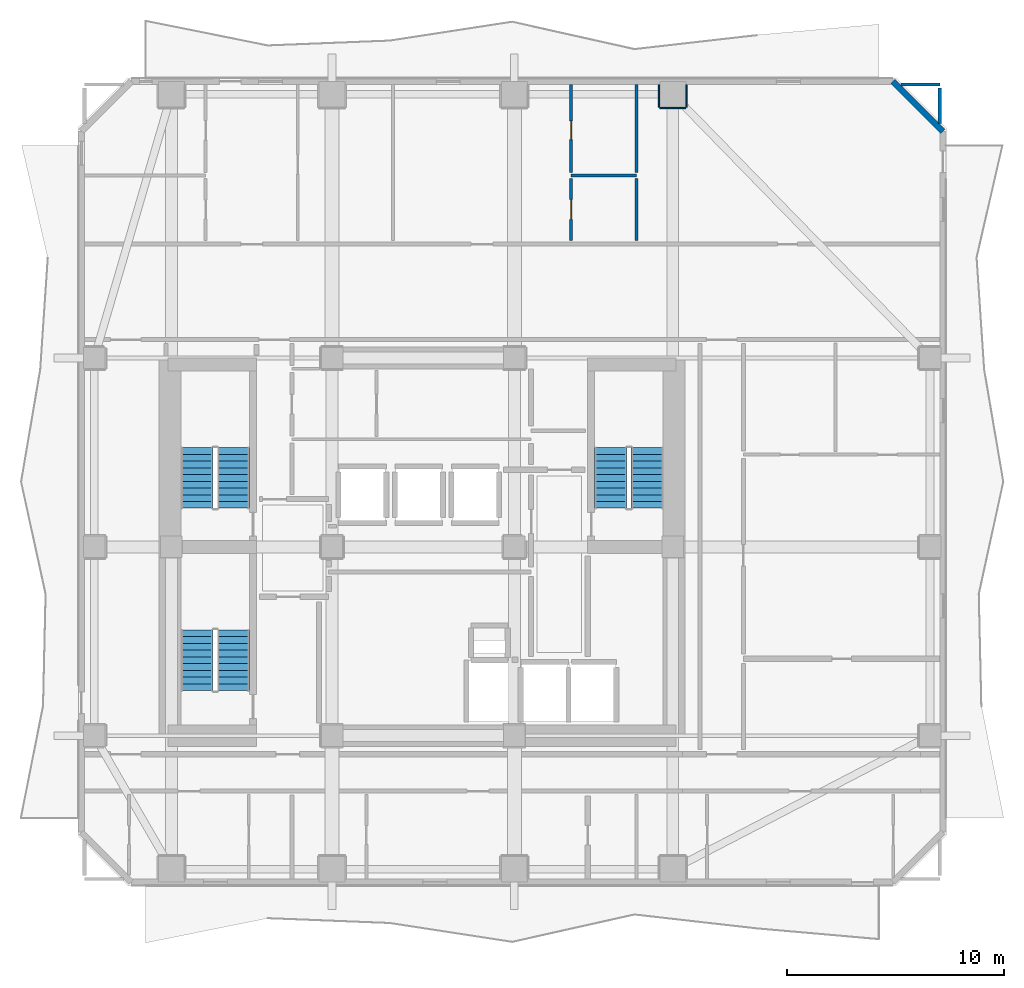
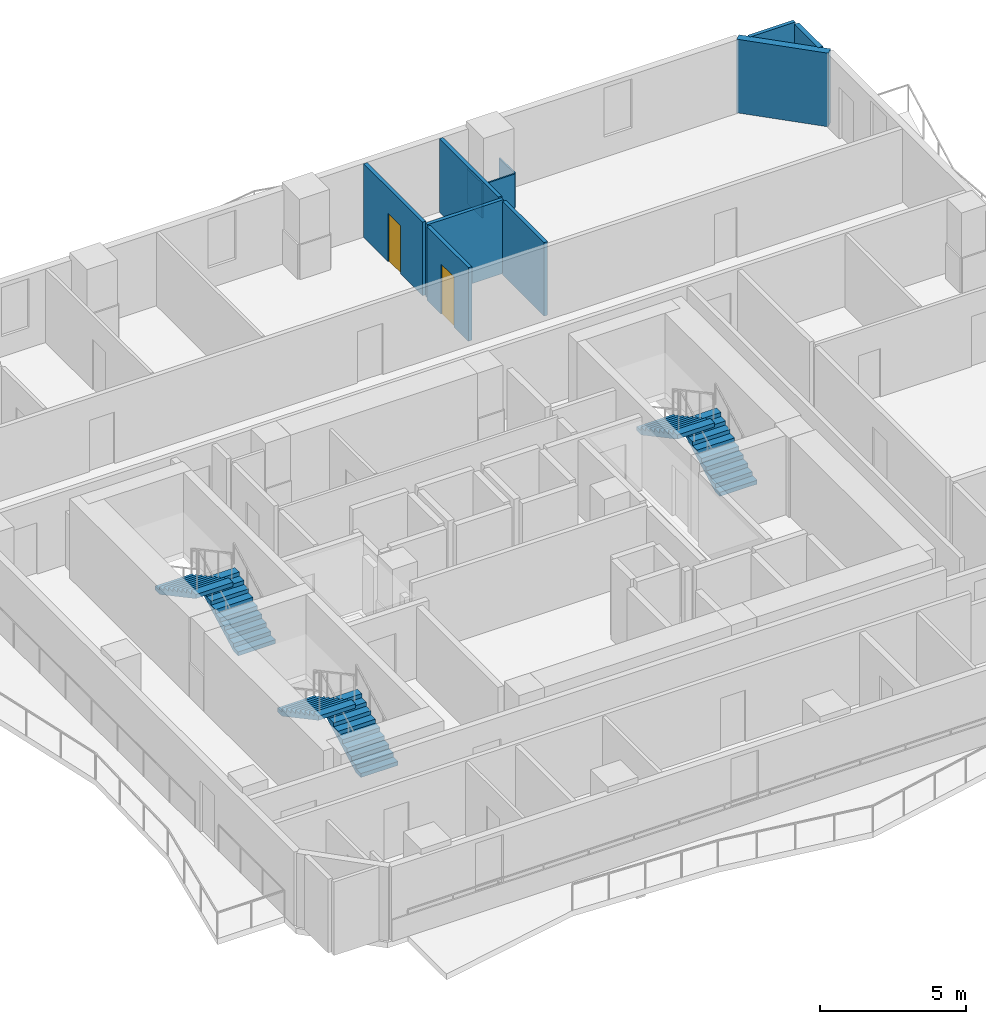
# One storey, part 6 of 9: 11 walls, 6 stair flights, 2 doors, 2 openings, 3 elements without a shape of their own.
"""IFC4 building model written with IfcOpenShell, lengths in metres."""

from ifc_helpers import new_model, si_unit, direction, frame, frame_2d, origin, place, context, subcontext, project, spatial, polyline, rectangle, outline, extrude, material, layer, layer_set, type_object, element, fill, aggregate, save


model = new_model("IFC4")

# Units and contexts
model_context = context("Model", 3, precision=1e-05, world=origin(), true_north=direction((0.0, 1.0)))
body_context = subcontext(model_context, "Body", "Model", "MODEL_VIEW")
ifc_project = project(units=[si_unit("LENGTHUNIT", "METRE"), si_unit("AREAUNIT", "SQUARE_METRE"), si_unit("VOLUMEUNIT", "CUBIC_METRE"), si_unit("PLANEANGLEUNIT", "RADIAN"), si_unit("MASSUNIT", "GRAM", prefix="KILO")], contexts=[model_context])

# Site, building, storey
site_placement = place(None, origin())
site = spatial("IfcSite", under=ifc_project, at=site_placement, CompositionType="ELEMENT")
building_placement = place(site_placement, origin())
building = spatial("IfcBuilding", under=site, at=building_placement, Name="Solanera Arch Residences", CompositionType="ELEMENT")
storey_placement = place(building_placement, frame((0.0, 0.0, 155.8798828125)))
storey = spatial("IfcBuildingStorey", under=building, at=storey_placement, Name="L45", CompositionType="ELEMENT", Elevation=155.8798828125)

# Walls
ifc_material_1 = material(Name="Fire-Rated Gypsum Stud Partition", Category="gypsum")
ifc_layer_1 = layer(ifc_material_1, 0.06005859375)
ifc_layer_set_1 = layer_set([ifc_layer_1], Name="Fire-Rated Gypsum Stud Partition")
wall_type_1 = type_object("IfcWallType", Name="Column Acoustic Furring Wall 60", PredefinedType="PARTITIONING", material=ifc_layer_set_1)
wall_1_placement = place(storey_placement, frame((35.89990234375, 50.91796875, 0.0), z_axis=(0.0, 0.0, 1.0), x_axis=(1.0, 0.0, 0.0)))
element("IfcWall", 1, at=wall_1_placement, inside=storey, type_object=wall_type_1, Name="L45 Column Furring 16S", PredefinedType="PARTITIONING", context=body_context, shape_type="SweptSolid", body=[
    extrude(rectangle(XDim=1.2001953125, YDim=0.06005859375, at=frame_2d((0.60009765625, 0.0))), origin(), (0.0, 0.0, 1.0), 1.4501953125),
])
for number, where, z_axis, x_axis, name in (
    (2, (35.867919921875, 50.949951171875, 0.0), (0.0, 0.0, 1.0), (0.0, 1.0, 0.0), "L45 Column Furring 16W"),
    (3, (37.132080078125, 50.949951171875, 0.0), (0.0, 0.0, 1.0), (0.0, 1.0, 0.0), "L45 Column Furring 16E"),
):
    element("IfcWall", number, at=place(storey_placement, frame(where, z_axis=z_axis, x_axis=x_axis)), inside=storey, type_object=wall_type_1, Name=name, PredefinedType="PARTITIONING", context=body_context, shape_type="SweptSolid", body=[
        extrude(rectangle(XDim=1.0400390625, YDim=0.06005859375, at=frame_2d((0.52001953125, 0.0))), origin(), (0.0, 0.0, 1.0), 1.4501953125),
    ])
ifc_material_2 = material(Name="Autoclaved Aerated Concrete Blockwork", Category="masonry")
ifc_layer_2 = layer(ifc_material_2, 0.179931640625)
ifc_layer_set_2 = layer_set([ifc_layer_2], Name="Autoclaved Aerated Concrete Blockwork")
wall_type_2 = type_object("IfcWallType", Name="Corridor Fire Partition 180", PredefinedType="PARTITIONING", material=ifc_layer_set_2)
wall_2_placement = place(storey_placement, frame((48.800048828125, 50.205078125, 0.0), z_axis=(0.0, 0.0, 1.0), x_axis=(0.0, 1.0, 0.0)))
element("IfcWall", 4, at=wall_2_placement, inside=storey, type_object=wall_type_2, Name="L45 Interior Partition V14 2", PredefinedType="PARTITIONING", context=body_context, shape_type="SweptSolid", body=[
    extrude(rectangle(XDim=1.626953125, YDim=0.179931640625, at=frame_2d((0.8134765625, 0.0))), origin(), (0.0, 0.0, 1.0), 3.080078125),
])
ifc_material_3 = material(Name="Precast Concrete C35/45", Category="concrete")
ifc_layer_3 = layer(ifc_material_3, 0.280029296875)
ifc_layer_set_3 = layer_set([ifc_layer_3], Name="Precast Concrete C35/45")
wall_type_3 = type_object("IfcWallType", Name="Exterior Wall Precast Masonry-Frame 280", PredefinedType="STANDARD", material=ifc_layer_set_3)
wall_3_placement = place(storey_placement, frame((46.64501953125, 52.14501953125, 0.0), z_axis=(0.0, 0.0, 1.0), x_axis=(0.707106781187, -0.707106781187, 0.0)))
element("IfcWall", 5, at=wall_3_placement, inside=storey, type_object=wall_type_3, Name="L45 Tower Exterior Precast Masonry-Frame Wall CH3", PredefinedType="STANDARD", context=body_context, shape_type="SweptSolid", body=[
    extrude(rectangle(XDim=3.252685546875, YDim=0.280029296875, at=frame_2d((1.62646484375, 0.0))), origin(), (0.0, 0.0, 1.0), 3.080078125),
])
ifc_material_4 = material(Name="Autoclaved Aerated Concrete Blockwork", Category="masonry")
ifc_layer_4 = layer(ifc_material_4, 0.139892578125)
ifc_layer_set_4 = layer_set([ifc_layer_4], Name="Autoclaved Aerated Concrete Blockwork")
wall_type_4 = type_object("IfcWallType", Name="Wet-Room Partition 140", PredefinedType="PARTITIONING", material=ifc_layer_set_4)
wall_4_placement = place(storey_placement, frame((31.820068359375, 47.81005859375, 0.0), z_axis=(0.0, 0.0, 1.0), x_axis=(1.0, 0.0, 0.0)))
element("IfcWall", 6, at=wall_4_placement, inside=storey, type_object=wall_type_4, Name="L45 Interior Partition H16", PredefinedType="PARTITIONING", context=body_context, shape_type="SweptSolid", body=[
    extrude(rectangle(XDim=3.0, YDim=0.139892578125, at=frame_2d((1.5, 0.0))), origin(), (0.0, 0.0, 1.0), 3.080078125),
])
wall_5_placement = place(storey_placement, frame((47.0048828125, 52.0, 0.0), z_axis=(0.0, 0.0, 1.0), x_axis=(1.0, 0.0, 0.0)))
element("IfcWall", 7, at=wall_5_placement, inside=storey, type_object=wall_type_4, Name="L45 Interior Partition H17 2", PredefinedType="PARTITIONING", context=body_context, shape_type="SweptSolid", body=[
    extrude(rectangle(XDim=1.795166015625, YDim=0.139892578125, at=frame_2d((0.8974609375, 0.0))), origin(), (0.0, 0.0, 1.0), 3.080078125),
])

# Wall, opening, door
wall_6_placement = place(storey_placement, frame((31.820068359375, 44.818115234375, 0.0), z_axis=(0.0, 0.0, 1.0), x_axis=(0.0, 1.0, 0.0)))
wall_6 = element("IfcWall", 8, at=wall_6_placement, inside=storey, type_object=wall_type_4, Name="L45 Interior Partition V18 1", PredefinedType="PARTITIONING", context=body_context, shape_type="SweptSolid", body=[
    extrude(rectangle(XDim=2.843994140625, YDim=0.139892578125, at=frame_2d((1.421875, 0.0))), origin(), (0.0, 0.0, 1.0), 3.080078125),
])
opening_1_placement = place(wall_6_placement, frame((0.97509765625, 0.0, 0.0)))
opening_1 = element("IfcOpeningElement", 9, at=opening_1_placement, cuts=wall_6, Name="Opening DI-02", PredefinedType="OPENING", context=body_context, shape_type="SweptSolid", body=[
    extrude(rectangle(XDim=0.89990234375, YDim=2.10009765625, at=frame_2d((0.449951171875, 1.050048828125))), frame((0.0, 0.079833984375, 0.0), z_axis=(0.0, -1.0, 0.0), x_axis=(1.0, 0.0, 0.0)), (0.0, 0.0, 1.0), 0.1599),
])
ifc_material_5 = material(Name="Fire-Rated Architectural Hardwood", Category="wood")
door_type_1 = type_object("IfcDoorType", Name="Suite Room Swing Door DI-02", OperationType="NOTDEFINED", PredefinedType="DOOR", material=ifc_material_5)
door_1_placement = place(opening_1_placement, origin())
door_1 = element("IfcDoor", 10, at=door_1_placement, inside=storey, type_object=door_type_1, Name="DR-L45-IN-030", OperationType="SINGLE_SWING_LEFT", OverallHeight=2.10009765625, OverallWidth=0.89990234375, PredefinedType="DOOR", context=body_context, shape_type="SweptSolid", body=[
    extrude(rectangle(XDim=0.89990234375, YDim=2.10009765625, at=frame_2d((0.449951171875, 1.050048828125))), frame((0.0, 0.02490234375, 0.0), z_axis=(0.0, -1.0, 0.0), x_axis=(1.0, 0.0, 0.0)), (0.0, 0.0, 1.0), 0.050048828125),
])
fill(opening_1, door_1)

wall_7_placement = place(storey_placement, frame((31.820068359375, 47.9580078125, 0.0), z_axis=(0.0, 0.0, 1.0), x_axis=(0.0, 1.0, 0.0)))
wall_7 = element("IfcWall", 11, at=wall_7_placement, inside=storey, type_object=wall_type_4, Name="L45 Interior Partition V18 2", PredefinedType="PARTITIONING", context=body_context, shape_type="SweptSolid", body=[
    extrude(rectangle(XDim=4.034912109375, YDim=0.139892578125, at=frame_2d((2.017578125, 0.0))), origin(), (0.0, 0.0, 1.0), 3.080078125),
])
opening_2_placement = place(wall_7_placement, frame((1.50390625, 0.0, 0.0)))
opening_2 = element("IfcOpeningElement", 12, at=opening_2_placement, cuts=wall_7, Name="Opening DI-05", PredefinedType="OPENING", context=body_context, shape_type="SweptSolid", body=[
    extrude(rectangle(XDim=0.860107421875, YDim=2.02001953125, at=frame_2d((0.43017578125, 1.010009765625))), frame((0.0, 0.079833984375, 0.0), z_axis=(0.0, -1.0, 0.0), x_axis=(1.0, 0.0, 0.0)), (0.0, 0.0, 1.0), 0.1599),
])
ifc_material_6 = material(Name="Fire-Rated Architectural Hardwood", Category="wood")
door_type_2 = type_object("IfcDoorType", Name="Bathroom Swing Door DI-05", OperationType="NOTDEFINED", PredefinedType="DOOR", material=ifc_material_6)
door_2_placement = place(opening_2_placement, origin())
door_2 = element("IfcDoor", 13, at=door_2_placement, inside=storey, type_object=door_type_2, Name="DR-L45-IN-031", OperationType="SINGLE_SWING_RIGHT", OverallHeight=2.02001953125, OverallWidth=0.860107421875, PredefinedType="DOOR", context=body_context, shape_type="SweptSolid", body=[
    extrude(rectangle(XDim=0.860107421875, YDim=2.02001953125, at=frame_2d((0.43017578125, 1.010009765625))), frame((0.0, 0.02490234375, 0.0), z_axis=(0.0, -1.0, 0.0), x_axis=(1.0, 0.0, 0.0)), (0.0, 0.0, 1.0), 0.050048828125),
])
fill(opening_2, door_2)

# Walls
wall_8_placement = place(storey_placement, frame((34.820068359375, 44.818115234375, 0.0), z_axis=(0.0, 0.0, 1.0), x_axis=(0.0, 1.0, 0.0)))
element("IfcWall", 14, at=wall_8_placement, inside=storey, type_object=wall_type_4, Name="L45 Interior Partition V20 1", PredefinedType="PARTITIONING", context=body_context, shape_type="SweptSolid", body=[
    extrude(rectangle(XDim=2.843994140625, YDim=0.139892578125, at=frame_2d((1.421875, 0.0))), origin(), (0.0, 0.0, 1.0), 3.080078125),
])
wall_9_placement = place(storey_placement, frame((34.820068359375, 47.9580078125, 0.0), z_axis=(0.0, 0.0, 1.0), x_axis=(0.0, 1.0, 0.0)))
element("IfcWall", 15, at=wall_9_placement, inside=storey, type_object=wall_type_4, Name="L45 Interior Partition V20 2", PredefinedType="PARTITIONING", context=body_context, shape_type="SweptSolid", body=[
    extrude(rectangle(XDim=4.034912109375, YDim=0.139892578125, at=frame_2d((2.017578125, 0.0))), origin(), (0.0, 0.0, 1.0), 3.080078125),
])

# Stair, stair flights
ifc_material_7 = material(Name="Concrete C40/50 (f'c = 45 MPa)", Category="concrete")
stair_type = type_object("IfcStairType", Name="Tower Dogleg Exit Stair 1480", PredefinedType="HALF_TURN_STAIR", material=ifc_material_7)
stair_1_placement = place(storey_placement, origin())
stair_1 = element("IfcStair", 16, at=stair_1_placement, inside=storey, type_object=stair_type, Name="L45 Tower Core Exit Stair 1", PredefinedType="HALF_TURN_STAIR")
ifc_material_8 = material(Name="Concrete C40/50 (f'c = 45 MPa)", Category="concrete")
stair_flight_type = type_object("IfcStairFlightType", Name="Tower Precast Stair Flight 1480", PredefinedType="STRAIGHT", material=ifc_material_8)
stair_flight_1_placement = place(storey_placement, frame((16.260009765625, 32.47998046875, 0.0), z_axis=(0.0, 0.0, 1.0), x_axis=(0.0, 1.0, 0.0)))
stair_flight_1 = element("IfcStairFlight", 17, at=stair_flight_1_placement, type_object=stair_flight_type, Name="ST-T1 flight 1", NumberOfRisers=10, NumberOfTreads=9, PredefinedType="STRAIGHT", RiserHeight=0.166, TreadLength=0.31, context=body_context, shape_type="SweptSolid", body=[
    extrude(outline(polyline([(0.0, 0.0), (0.0, 0.166015625), (0.31005859375, 0.166015625), (0.31005859375, 0.33203125), (0.6201171875, 0.33203125), (0.6201171875, 0.498046875), (0.929931640625, 0.498046875), (0.929931640625, 0.6640625), (1.239990234375, 0.6640625), (1.239990234375, 0.830078125), (1.550048828125, 0.830078125), (1.550048828125, 0.99609375), (1.860107421875, 0.99609375), (1.860107421875, 1.162109375), (2.169921875, 1.162109375), (2.169921875, 1.327880859375), (2.47998046875, 1.327880859375), (2.47998046875, 1.493896484375), (2.7900390625, 1.493896484375), (2.7900390625, 1.659912109375), (2.7900390625, 1.323974609375), (0.317626953125, 0.0), (0.0, 0.0)])), frame((0.0, 0.739990234375, 0.0), z_axis=(0.0, -1.0, 0.0), x_axis=(1.0, 0.0, 0.0)), (0.0, 0.0, 1.0), 1.47998046875),
])
stair_flight_2_placement = place(storey_placement, frame((14.580078125, 35.27001953125, 1.66015625), z_axis=(0.0, 0.0, 1.0), x_axis=(0.0, -1.0, 0.0)))
stair_flight_2 = element("IfcStairFlight", 18, at=stair_flight_2_placement, type_object=stair_flight_type, Name="ST-T1 flight 2", NumberOfRisers=10, NumberOfTreads=9, PredefinedType="STRAIGHT", RiserHeight=0.166, TreadLength=0.31, context=body_context, shape_type="SweptSolid", body=[
    extrude(outline(polyline([(0.0, 0.0), (0.0, 0.166015625), (0.31005859375, 0.166015625), (0.31005859375, 0.33203125), (0.6201171875, 0.33203125), (0.6201171875, 0.498046875), (0.929931640625, 0.498046875), (0.929931640625, 0.6640625), (1.239990234375, 0.6640625), (1.239990234375, 0.830078125), (1.550048828125, 0.830078125), (1.550048828125, 0.99609375), (1.860107421875, 0.99609375), (1.860107421875, 1.162109375), (2.169921875, 1.162109375), (2.169921875, 1.327880859375), (2.47998046875, 1.327880859375), (2.47998046875, 1.493896484375), (2.7900390625, 1.493896484375), (2.7900390625, 1.659912109375), (2.7900390625, 1.323974609375), (0.317626953125, 0.0), (0.0, 0.0)])), frame((0.0, 0.739990234375, 0.0), z_axis=(0.0, -1.0, 0.0), x_axis=(1.0, 0.0, 0.0)), (0.0, 0.0, 1.0), 1.47998046875),
])
aggregate(stair_1, [stair_flight_1, stair_flight_2])

stair_2_placement = place(storey_placement, origin())
stair_2 = element("IfcStair", 19, at=stair_2_placement, inside=storey, type_object=stair_type, Name="L45 Tower Core Exit Stair 2", PredefinedType="HALF_TURN_STAIR")
stair_flight_3_placement = place(storey_placement, frame((35.320068359375, 32.47998046875, 0.0), z_axis=(0.0, 0.0, 1.0), x_axis=(0.0, 1.0, 0.0)))
stair_flight_3 = element("IfcStairFlight", 20, at=stair_flight_3_placement, type_object=stair_flight_type, Name="ST-T2 flight 1", NumberOfRisers=10, NumberOfTreads=9, PredefinedType="STRAIGHT", RiserHeight=0.166, TreadLength=0.31, context=body_context, shape_type="SweptSolid", body=[
    extrude(outline(polyline([(0.0, 0.0), (0.0, 0.166015625), (0.31005859375, 0.166015625), (0.31005859375, 0.33203125), (0.6201171875, 0.33203125), (0.6201171875, 0.498046875), (0.929931640625, 0.498046875), (0.929931640625, 0.6640625), (1.239990234375, 0.6640625), (1.239990234375, 0.830078125), (1.550048828125, 0.830078125), (1.550048828125, 0.99609375), (1.860107421875, 0.99609375), (1.860107421875, 1.162109375), (2.169921875, 1.162109375), (2.169921875, 1.327880859375), (2.47998046875, 1.327880859375), (2.47998046875, 1.493896484375), (2.7900390625, 1.493896484375), (2.7900390625, 1.659912109375), (2.7900390625, 1.323974609375), (0.317626953125, 0.0), (0.0, 0.0)])), frame((0.0, 0.739990234375, 0.0), z_axis=(0.0, -1.0, 0.0), x_axis=(1.0, 0.0, 0.0)), (0.0, 0.0, 1.0), 1.47998046875),
])
stair_flight_4_placement = place(storey_placement, frame((33.639892578125, 35.27001953125, 1.66015625), z_axis=(0.0, 0.0, 1.0), x_axis=(0.0, -1.0, 0.0)))
stair_flight_4 = element("IfcStairFlight", 21, at=stair_flight_4_placement, type_object=stair_flight_type, Name="ST-T2 flight 2", NumberOfRisers=10, NumberOfTreads=9, PredefinedType="STRAIGHT", RiserHeight=0.166, TreadLength=0.31, context=body_context, shape_type="SweptSolid", body=[
    extrude(outline(polyline([(0.0, 0.0), (0.0, 0.166015625), (0.31005859375, 0.166015625), (0.31005859375, 0.33203125), (0.6201171875, 0.33203125), (0.6201171875, 0.498046875), (0.929931640625, 0.498046875), (0.929931640625, 0.6640625), (1.239990234375, 0.6640625), (1.239990234375, 0.830078125), (1.550048828125, 0.830078125), (1.550048828125, 0.99609375), (1.860107421875, 0.99609375), (1.860107421875, 1.162109375), (2.169921875, 1.162109375), (2.169921875, 1.327880859375), (2.47998046875, 1.327880859375), (2.47998046875, 1.493896484375), (2.7900390625, 1.493896484375), (2.7900390625, 1.659912109375), (2.7900390625, 1.323974609375), (0.317626953125, 0.0), (0.0, 0.0)])), frame((0.0, 0.739990234375, 0.0), z_axis=(0.0, -1.0, 0.0), x_axis=(1.0, 0.0, 0.0)), (0.0, 0.0, 1.0), 1.47998046875),
])
aggregate(stair_2, [stair_flight_3, stair_flight_4])

stair_3_placement = place(storey_placement, origin())
stair_3 = element("IfcStair", 22, at=stair_3_placement, inside=storey, type_object=stair_type, Name="L45 Tower Core Exit Stair 3", PredefinedType="HALF_TURN_STAIR")
stair_flight_5_placement = place(storey_placement, frame((16.260009765625, 24.080078125, 0.0), z_axis=(0.0, 0.0, 1.0), x_axis=(0.0, 1.0, 0.0)))
stair_flight_5 = element("IfcStairFlight", 23, at=stair_flight_5_placement, type_object=stair_flight_type, Name="ST-T3 flight 1", NumberOfRisers=10, NumberOfTreads=9, PredefinedType="STRAIGHT", RiserHeight=0.166, TreadLength=0.31, context=body_context, shape_type="SweptSolid", body=[
    extrude(outline(polyline([(0.0, 0.0), (0.0, 0.166015625), (0.31005859375, 0.166015625), (0.31005859375, 0.33203125), (0.6201171875, 0.33203125), (0.6201171875, 0.498046875), (0.929931640625, 0.498046875), (0.929931640625, 0.6640625), (1.239990234375, 0.6640625), (1.239990234375, 0.830078125), (1.550048828125, 0.830078125), (1.550048828125, 0.99609375), (1.860107421875, 0.99609375), (1.860107421875, 1.162109375), (2.169921875, 1.162109375), (2.169921875, 1.327880859375), (2.47998046875, 1.327880859375), (2.47998046875, 1.493896484375), (2.7900390625, 1.493896484375), (2.7900390625, 1.659912109375), (2.7900390625, 1.323974609375), (0.317626953125, 0.0), (0.0, 0.0)])), frame((0.0, 0.739990234375, 0.0), z_axis=(0.0, -1.0, 0.0), x_axis=(1.0, 0.0, 0.0)), (0.0, 0.0, 1.0), 1.47998046875),
])
stair_flight_6_placement = place(storey_placement, frame((14.580078125, 26.8701171875, 1.66015625), z_axis=(0.0, 0.0, 1.0), x_axis=(0.0, -1.0, 0.0)))
stair_flight_6 = element("IfcStairFlight", 24, at=stair_flight_6_placement, type_object=stair_flight_type, Name="ST-T3 flight 2", NumberOfRisers=10, NumberOfTreads=9, PredefinedType="STRAIGHT", RiserHeight=0.166, TreadLength=0.31, context=body_context, shape_type="SweptSolid", body=[
    extrude(outline(polyline([(0.0, 0.0), (0.0, 0.166015625), (0.31005859375, 0.166015625), (0.31005859375, 0.33203125), (0.6201171875, 0.33203125), (0.6201171875, 0.498046875), (0.929931640625, 0.498046875), (0.929931640625, 0.6640625), (1.239990234375, 0.6640625), (1.239990234375, 0.830078125), (1.550048828125, 0.830078125), (1.550048828125, 0.99609375), (1.860107421875, 0.99609375), (1.860107421875, 1.162109375), (2.169921875, 1.162109375), (2.169921875, 1.327880859375), (2.47998046875, 1.327880859375), (2.47998046875, 1.493896484375), (2.7900390625, 1.493896484375), (2.7900390625, 1.659912109375), (2.7900390625, 1.323974609375), (0.317626953125, 0.0), (0.0, 0.0)])), frame((0.0, 0.739990234375, 0.0), z_axis=(0.0, -1.0, 0.0), x_axis=(1.0, 0.0, 0.0)), (0.0, 0.0, 1.0), 1.47998046875),
])
aggregate(stair_3, [stair_flight_5, stair_flight_6])

save(model, "model.ifc")
